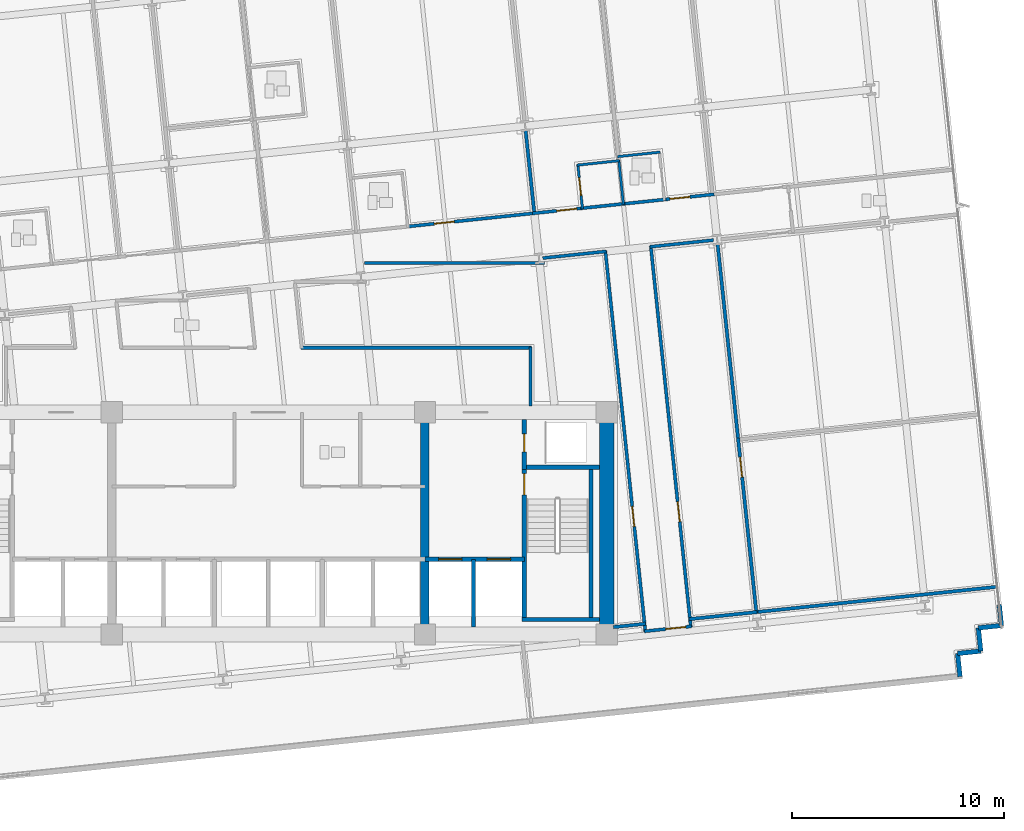
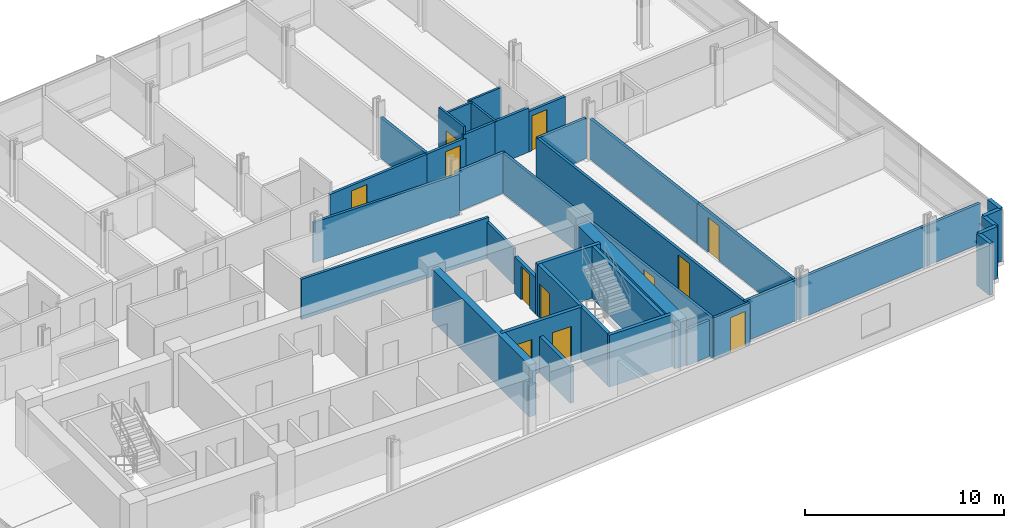
# One storey, part 12 of 19: 37 walls, 12 doors, 12 openings.
"""IFC4 building model written with IfcOpenShell, lengths in metres."""

from ifc_helpers import new_model, si_unit, direction, frame, frame_2d, origin, place, context, subcontext, project, spatial, rectangle, extrude, material, layer, layer_set, type_object, element, fill, save


model = new_model("IFC4")

# Units and contexts
model_context = context("Model", 3, precision=1e-05, world=origin(), true_north=direction((0.0, 1.0)))
body_context = subcontext(model_context, "Body", "Model", "MODEL_VIEW")
ifc_project = project(units=[si_unit("LENGTHUNIT", "METRE"), si_unit("AREAUNIT", "SQUARE_METRE"), si_unit("VOLUMEUNIT", "CUBIC_METRE"), si_unit("PLANEANGLEUNIT", "RADIAN"), si_unit("MASSUNIT", "GRAM", prefix="KILO")], contexts=[model_context])

# Site, building, storey
site_placement = place(None, origin())
site = spatial("IfcSite", under=ifc_project, at=site_placement, CompositionType="ELEMENT")
building_placement = place(site_placement, origin())
building = spatial("IfcBuilding", under=site, at=building_placement, Name="Solmavex Isthmus Hotel", CompositionType="ELEMENT")
storey_placement = place(building_placement, frame((0.0, 0.0, 83.550048828125)))
storey = spatial("IfcBuildingStorey", under=building, at=storey_placement, Name="L22", CompositionType="ELEMENT", Elevation=83.550048828125)

# Walls
ifc_material_1 = material(Name="Precast Concrete C40/50", Category="concrete")
ifc_layer_1 = layer(ifc_material_1, 0.25)
ifc_layer_set_1 = layer_set([ifc_layer_1], Name="Precast Concrete C40/50")
wall_type_1 = type_object("IfcWallType", Name="EW-TWR-250", PredefinedType="STANDARD", material=ifc_layer_set_1)
wall_1_placement = place(storey_placement, frame((34.553955078125, -11.59228515625, 0.0), z_axis=(0.0, 0.0, 1.0), x_axis=(0.104556418955, -0.99451895671, 0.0)))
element("IfcWall", 1, at=wall_1_placement, inside=storey, type_object=wall_type_1, Name="Serrated Corner Facade Panel L22-21", PredefinedType="STANDARD", context=body_context, shape_type="SweptSolid", body=[
    extrude(rectangle(XDim=0.989990234375, YDim=0.219970703125, at=frame_2d((0.4951171875, 0.0))), origin(), (0.0, 0.0, 1.0), 3.18994140625),
])
for number, where, z_axis, x_axis, name in (
    (2, (34.657470703125, -12.576904296875, 0.0), (0.0, 0.0, 1.0), (-0.994521251134, -0.104534592565, 0.0), "Serrated Corner Facade Panel L22-22"),
    (3, (33.5634765625, -12.69189453125, 0.0), (0.0, 0.0, 1.0), (0.104534592565, -0.994521251134, 0.0), "Serrated Corner Facade Panel L22-23"),
    (4, (33.678466796875, -13.785888671875, 0.0), (0.0, 0.0, 1.0), (-0.994521251134, -0.104534592565, 0.0), "Serrated Corner Facade Panel L22-24"),
    (5, (32.58447265625, -13.90087890625, 0.0), (0.0, 0.0, 1.0), (0.104534592565, -0.994521251134, 0.0), "Serrated Corner Facade Panel L22-25"),
):
    element("IfcWall", number, at=place(storey_placement, frame(where, z_axis=z_axis, x_axis=x_axis)), inside=storey, type_object=wall_type_1, Name=name, PredefinedType="STANDARD", context=body_context, shape_type="SweptSolid", body=[
        extrude(rectangle(XDim=1.10009765625, YDim=0.219970703125, at=frame_2d((0.550048828125, 0.0))), origin(), (0.0, 0.0, 1.0), 3.18994140625),
    ])
ifc_material_2 = material(Name="Gypsum plasterboard lining", Category="gypsum")
ifc_layer_2 = layer(ifc_material_2, 0.159912109375)
ifc_layer_set_2 = layer_set([ifc_layer_2], Name="Gypsum plasterboard lining")
wall_type_2 = type_object("IfcWallType", Name="IW-COMP-160", PredefinedType="PARTITIONING", material=ifc_layer_set_2)
wall_2_placement = place(storey_placement, frame((12.16015625, 10.86181640625, 0.0), z_axis=(0.0, 0.0, 1.0), x_axis=(0.104545405177, -0.994520114556, 0.0)))
element("IfcWall", 6, at=wall_2_placement, inside=storey, type_object=wall_type_2, Name="Interior Partition Wall W-L22-P073", PredefinedType="PARTITIONING", context=body_context, shape_type="SweptSolid", body=[
    extrude(rectangle(XDim=4.011962890625, YDim=0.159912109375, at=frame_2d((2.005859375, 0.0))), origin(), (0.0, 0.0, 1.0), 2.4794921875),
])
wall_3_placement = place(storey_placement, frame((23.109619140625, -11.9404296875, 0.0), z_axis=(0.0, 0.0, 1.0), x_axis=(-0.994523644075, -0.1045118241, 0.0)))
element("IfcWall", 7, at=wall_3_placement, inside=storey, type_object=wall_type_2, Name="Interior Partition Wall W-L22-P088", PredefinedType="PARTITIONING", context=body_context, shape_type="SweptSolid", body=[
    extrude(rectangle(XDim=3.233154296875, YDim=0.159912109375, at=frame_2d((1.61669921875, 0.0))), origin(), (0.0, 0.0, 1.0), 2.4794921875),
])

# Wall, opening, door
wall_4_placement = place(storey_placement, frame((22.2041015625, -3.7080078125, 0.0), z_axis=(0.0, 0.0, 1.0), x_axis=(0.104527489028, -0.994521997765, 0.0)))
wall_4 = element("IfcWall", 8, at=wall_4_placement, inside=storey, type_object=wall_type_2, Name="Interior Partition Wall W-L22-P089", PredefinedType="PARTITIONING", context=body_context, shape_type="SweptSolid", body=[
    extrude(rectangle(XDim=8.322021484375, YDim=0.159912109375, at=frame_2d((4.1611328125, 0.0))), origin(), (0.0, 0.0, 1.0), 2.4794921875),
])
opening_1_placement = place(wall_4_placement, frame((0.916748046875, 0.0, 0.0)))
opening_1 = element("IfcOpeningElement", 9, at=opening_1_placement, cuts=wall_4, Name="Opening ID-C095", PredefinedType="OPENING", context=body_context, shape_type="SweptSolid", body=[
    extrude(rectangle(XDim=0.949951171875, YDim=2.14990234375, at=frame_2d((0.47509765625, 1.074951171875))), frame((0.0, 0.08984375, 0.0), z_axis=(0.0, -1.0, 0.0), x_axis=(1.0, 0.0, 0.0)), (0.0, 0.0, 1.0), 0.179931640625),
])
ifc_material_3 = material(Name="Hardwood timber", Category="wood")
door_type_1 = type_object("IfcDoorType", Name="IDR-FD60-0950", OperationType="NOTDEFINED", PredefinedType="DOOR", material=ifc_material_3)
door_1_placement = place(opening_1_placement, origin())
door_1 = element("IfcDoor", 10, at=door_1_placement, inside=storey, type_object=door_type_1, Name="Corporate Briefing Office Door L22-26", OperationType="SINGLE_SWING_RIGHT", OverallHeight=2.14990234375, OverallWidth=0.949951171875, PredefinedType="DOOR", context=body_context, shape_type="SweptSolid", body=[
    extrude(rectangle(XDim=0.949951171875, YDim=2.14990234375, at=frame_2d((0.47509765625, 1.074951171875))), frame((0.0, 0.02490234375, 0.0), z_axis=(0.0, -1.0, 0.0), x_axis=(1.0, 0.0, 0.0)), (0.0, 0.0, 1.0), 0.050048828125),
])
fill(opening_1, door_1)

# Walls
wall_5_placement = place(storey_placement, frame((21.238037109375, 5.483154296875, 0.0), z_axis=(0.0, 0.0, 1.0), x_axis=(0.104552370405, -0.994519382336, 0.0)))
element("IfcWall", 11, at=wall_5_placement, inside=storey, type_object=wall_type_2, Name="Interior Partition Wall W-L22-P090", PredefinedType="PARTITIONING", context=body_context, shape_type="SweptSolid", body=[
    extrude(rectangle(XDim=9.40576171875, YDim=0.159912109375, at=frame_2d((4.702880859375, 0.0))), origin(), (0.0, 0.0, 1.0), 2.4794921875),
])
wall_6_placement = place(storey_placement, frame((17.82568359375, -12.495849609375, 0.0), z_axis=(0.0, 0.0, 1.0), x_axis=(-0.994528256122, -0.104467927017, 0.0)))
element("IfcWall", 12, at=wall_6_placement, inside=storey, type_object=wall_type_2, Name="Interior Partition Wall W-L22-P091", PredefinedType="PARTITIONING", context=body_context, shape_type="SweptSolid", body=[
    extrude(rectangle(XDim=1.523681640625, YDim=0.159912109375, at=frame_2d((0.76171875, 0.0))), origin(), (0.0, 0.0, 1.0), 2.224853515625),
])
wall_7_placement = place(storey_placement, frame((22.98828125, -11.953125, 0.0), z_axis=(0.0, 0.0, 1.0), x_axis=(0.994523359964, 0.104514527634, 0.0)))
element("IfcWall", 13, at=wall_7_placement, inside=storey, type_object=wall_type_2, Name="Interior Partition Wall W-L22-P092", PredefinedType="PARTITIONING", context=body_context, shape_type="SweptSolid", body=[
    extrude(rectangle(XDim=11.570068359375, YDim=0.159912109375, at=frame_2d((5.78515625, 0.0))), origin(), (0.0, 0.0, 1.0), 2.4794921875),
])

# Wall, opening, door
ifc_layer_3 = layer(ifc_material_2, 0.14990234375)
ifc_layer_set_3 = layer_set([ifc_layer_3], Name="Gypsum plasterboard lining")
wall_type_3 = type_object("IfcWallType", Name="IW-CORR-150", PredefinedType="PARTITIONING", material=ifc_layer_set_3)
wall_8_placement = place(storey_placement, frame((6.5107421875, 6.274169921875, 0.0), z_axis=(0.0, 0.0, 1.0), x_axis=(0.994521891766, 0.104528497542, 0.0)))
wall_8 = element("IfcWall", 14, at=wall_8_placement, inside=storey, type_object=wall_type_3, Name="Interior Partition Wall W-L22-P007", PredefinedType="PARTITIONING", context=body_context, shape_type="SweptSolid", body=[
    extrude(rectangle(XDim=6.18017578125, YDim=0.14990234375, at=frame_2d((3.090087890625, 0.0))), origin(), (0.0, 0.0, 1.0), 2.4794921875),
])
opening_2_placement = place(wall_8_placement, frame((1.333984375, 0.0, 0.0)))
opening_2 = element("IfcOpeningElement", 15, at=opening_2_placement, cuts=wall_8, Name="Opening ID-C095", PredefinedType="OPENING", context=body_context, shape_type="SweptSolid", body=[
    extrude(rectangle(XDim=0.949951171875, YDim=2.14990234375, at=frame_2d((0.47509765625, 1.074951171875))), frame((0.0, 0.0849609375, 0.0), z_axis=(0.0, -1.0, 0.0), x_axis=(1.0, 0.0, 0.0)), (0.0, 0.0, 1.0), 0.169921875),
])
door_2_placement = place(opening_2_placement, origin())
door_2 = element("IfcDoor", 16, at=door_2_placement, inside=storey, type_object=door_type_1, Name="Premier Suite Door L22-12", OperationType="SINGLE_SWING_RIGHT", OverallHeight=2.14990234375, OverallWidth=0.949951171875, PredefinedType="DOOR", context=body_context, shape_type="SweptSolid", body=[
    extrude(rectangle(XDim=0.949951171875, YDim=2.14990234375, at=frame_2d((0.47509765625, 1.074951171875))), frame((0.0, 0.02490234375, 0.0), z_axis=(0.0, -1.0, 0.0), x_axis=(1.0, 0.0, 0.0)), (0.0, 0.0, 1.0), 0.050048828125),
])
fill(opening_2, door_2)

wall_9_placement = place(storey_placement, frame((12.493896484375, 6.903076171875, 0.0), z_axis=(0.0, 0.0, 1.0), x_axis=(0.99452018747, 0.10454471156, 0.0)))
wall_9 = element("IfcWall", 17, at=wall_9_placement, inside=storey, type_object=wall_type_3, Name="Interior Partition Wall W-L22-P009", PredefinedType="PARTITIONING", context=body_context, shape_type="SweptSolid", body=[
    extrude(rectangle(XDim=2.44970703125, YDim=0.14990234375, at=frame_2d((1.224853515625, 0.0))), origin(), (0.0, 0.0, 1.0), 2.4794921875),
])
opening_3_placement = place(wall_9_placement, frame((1.14794921875, 0.0, 0.0)))
opening_3 = element("IfcOpeningElement", 18, at=opening_3_placement, cuts=wall_9, Name="Opening ID-C095", PredefinedType="OPENING", context=body_context, shape_type="SweptSolid", body=[
    extrude(rectangle(XDim=0.949951171875, YDim=2.14990234375, at=frame_2d((0.47509765625, 1.074951171875))), frame((0.0, 0.0849609375, 0.0), z_axis=(0.0, -1.0, 0.0), x_axis=(1.0, 0.0, 0.0)), (0.0, 0.0, 1.0), 0.169921875),
])
door_3_placement = place(opening_3_placement, origin())
door_3 = element("IfcDoor", 19, at=door_3_placement, inside=storey, type_object=door_type_1, Name="Club Guest Room Door L22-14", OperationType="SINGLE_SWING_RIGHT", OverallHeight=2.14990234375, OverallWidth=0.949951171875, PredefinedType="DOOR", context=body_context, shape_type="SweptSolid", body=[
    extrude(rectangle(XDim=0.949951171875, YDim=2.14990234375, at=frame_2d((0.47509765625, 1.074951171875))), frame((0.0, 0.02490234375, 0.0), z_axis=(0.0, -1.0, 0.0), x_axis=(1.0, 0.0, 0.0)), (0.0, 0.0, 1.0), 0.050048828125),
])
fill(opening_3, door_3)

# Wall
wall_10_placement = place(storey_placement, frame((14.76708984375, 7.14208984375, 0.0), z_axis=(0.0, 0.0, 1.0), x_axis=(0.994520650134, 0.1045403102, 0.0)))
element("IfcWall", 20, at=wall_10_placement, inside=storey, type_object=wall_type_3, Name="Interior Partition Wall W-L22-P010", PredefinedType="PARTITIONING", context=body_context, shape_type="SweptSolid", body=[
    extrude(rectangle(XDim=2.111083984375, YDim=0.14990234375, at=frame_2d((1.0556640625, 0.0))), origin(), (0.0, 0.0, 1.0), 2.718017578125),
])

# Wall, opening, door
wall_11_placement = place(storey_placement, frame((18.64013671875, 7.549072265625, 0.0), z_axis=(0.0, 0.0, 1.0), x_axis=(0.994521276566, 0.104534350613, 0.0)))
wall_11 = element("IfcWall", 21, at=wall_11_placement, inside=storey, type_object=wall_type_3, Name="Interior Partition Wall W-L22-P011", PredefinedType="PARTITIONING", context=body_context, shape_type="SweptSolid", body=[
    extrude(rectangle(XDim=2.449951171875, YDim=0.14990234375, at=frame_2d((1.22509765625, 0.0))), origin(), (0.0, 0.0, 1.0), 2.4794921875),
])
opening_4_placement = place(wall_11_placement, frame((0.351806640625, 0.0, 0.0)))
opening_4 = element("IfcOpeningElement", 22, at=opening_4_placement, cuts=wall_11, Name="Opening ID-C095", PredefinedType="OPENING", context=body_context, shape_type="SweptSolid", body=[
    extrude(rectangle(XDim=0.949951171875, YDim=2.14990234375, at=frame_2d((0.47509765625, 1.074951171875))), frame((0.0, 0.0849609375, 0.0), z_axis=(0.0, -1.0, 0.0), x_axis=(1.0, 0.0, 0.0)), (0.0, 0.0, 1.0), 0.169921875),
])
door_4_placement = place(opening_4_placement, origin())
door_4 = element("IfcDoor", 23, at=door_4_placement, inside=storey, type_object=door_type_1, Name="Superior King Room Door L22-16", OperationType="SINGLE_SWING_RIGHT", OverallHeight=2.14990234375, OverallWidth=0.949951171875, PredefinedType="DOOR", context=body_context, shape_type="SweptSolid", body=[
    extrude(rectangle(XDim=0.949951171875, YDim=2.14990234375, at=frame_2d((0.47509765625, 1.074951171875))), frame((0.0, 0.02490234375, 0.0), z_axis=(0.0, -1.0, 0.0), x_axis=(1.0, 0.0, 0.0)), (0.0, 0.0, 1.0), 0.050048828125),
])
fill(opening_4, door_4)

# Walls
wall_12_placement = place(storey_placement, frame((16.70361328125, 7.345458984375, 0.0), z_axis=(0.0, 0.0, 1.0), x_axis=(0.994520650134, 0.1045403102, 0.0)))
element("IfcWall", 24, at=wall_12_placement, inside=storey, type_object=wall_type_3, Name="Interior Partition Wall W-L22-P012", PredefinedType="PARTITIONING", context=body_context, shape_type="SweptSolid", body=[
    extrude(rectangle(XDim=2.111083984375, YDim=0.14990234375, at=frame_2d((1.0556640625, 0.0))), origin(), (0.0, 0.0, 1.0), 2.718017578125),
])
wall_13_placement = place(storey_placement, frame((21.04443359375, 5.639892578125, 0.0), z_axis=(0.0, 0.0, 1.0), x_axis=(-0.994527160177, -0.104478359817, 0.0)))
element("IfcWall", 25, at=wall_13_placement, inside=storey, type_object=wall_type_3, Name="Interior Partition Wall W-L22-P021", PredefinedType="PARTITIONING", context=body_context, shape_type="SweptSolid", body=[
    extrude(rectangle(XDim=3.016845703125, YDim=0.14990234375, at=frame_2d((1.50830078125, 0.0))), origin(), (0.0, 0.0, 1.0), 2.4794921875),
])

# Wall, opening, door
wall_14_placement = place(storey_placement, frame((18.079833984375, 5.36865234375, 0.0), z_axis=(0.0, 0.0, 1.0), x_axis=(0.104523559353, -0.994522410778, 0.0)))
wall_14 = element("IfcWall", 26, at=wall_14_placement, inside=storey, type_object=wall_type_3, Name="Interior Partition Wall W-L22-P022", PredefinedType="PARTITIONING", context=body_context, shape_type="SweptSolid", body=[
    extrude(rectangle(XDim=18.130126953125, YDim=0.14990234375, at=frame_2d((9.06494140625, 0.0))), origin(), (0.0, 0.0, 1.0), 2.4794921875),
])
opening_5_placement = place(wall_14_placement, frame((12.161865234375, 0.0, 0.0)))
opening_5 = element("IfcOpeningElement", 27, at=opening_5_placement, cuts=wall_14, Name="Opening ID-C095", PredefinedType="OPENING", context=body_context, shape_type="SweptSolid", body=[
    extrude(rectangle(XDim=0.949951171875, YDim=2.14990234375, at=frame_2d((0.47509765625, 1.074951171875))), frame((0.0, 0.0849609375, 0.0), z_axis=(0.0, -1.0, 0.0), x_axis=(1.0, 0.0, 0.0)), (0.0, 0.0, 1.0), 0.169921875),
])
door_5_placement = place(opening_5_placement, origin())
door_5 = element("IfcDoor", 28, at=door_5_placement, inside=storey, type_object=door_type_1, Name="Reading Library Door L22-22", OperationType="SINGLE_SWING_RIGHT", OverallHeight=2.14990234375, OverallWidth=0.949951171875, PredefinedType="DOOR", context=body_context, shape_type="SweptSolid", body=[
    extrude(rectangle(XDim=0.949951171875, YDim=2.14990234375, at=frame_2d((0.47509765625, 1.074951171875))), frame((0.0, 0.02490234375, 0.0), z_axis=(0.0, -1.0, 0.0), x_axis=(1.0, 0.0, 0.0)), (0.0, 0.0, 1.0), 0.050048828125),
])
fill(opening_5, door_5)

wall_15_placement = place(storey_placement, frame((17.82666015625, -12.887939453125, 0.0), z_axis=(0.0, 0.0, 1.0), x_axis=(-0.104523559353, 0.994522410778, 0.0)))
wall_15 = element("IfcWall", 29, at=wall_15_placement, inside=storey, type_object=wall_type_3, Name="Interior Partition Wall W-L22-P023", PredefinedType="PARTITIONING", context=body_context, shape_type="SweptSolid", body=[
    extrude(rectangle(XDim=18.130126953125, YDim=0.14990234375, at=frame_2d((9.06494140625, 0.0))), origin(), (0.0, 0.0, 1.0), 2.4794921875),
])
opening_6_placement = place(wall_15_placement, frame((5.018310546875, 0.0, 0.0)))
opening_6 = element("IfcOpeningElement", 30, at=opening_6_placement, cuts=wall_15, Name="Opening ID-C095", PredefinedType="OPENING", context=body_context, shape_type="SweptSolid", body=[
    extrude(rectangle(XDim=0.949951171875, YDim=2.14990234375, at=frame_2d((0.47509765625, 1.074951171875))), frame((0.0, 0.0849609375, 0.0), z_axis=(0.0, -1.0, 0.0), x_axis=(1.0, 0.0, 0.0)), (0.0, 0.0, 1.0), 0.169921875),
])
door_6_placement = place(opening_6_placement, frame((0.949951171875, 0.0, 0.0), z_axis=(0.0, 0.0, 1.0), x_axis=(-1.0, 0.0, 0.0)))
door_6 = element("IfcDoor", 31, at=door_6_placement, inside=storey, type_object=door_type_1, Name="Wellness Treatment Room Door L22-23", OperationType="SINGLE_SWING_LEFT", OverallHeight=2.14990234375, OverallWidth=0.949951171875, PredefinedType="DOOR", context=body_context, shape_type="SweptSolid", body=[
    extrude(rectangle(XDim=0.949951171875, YDim=2.14990234375, at=frame_2d((0.47509765625, 1.074951171875))), frame((0.0, 0.02490234375, 0.0), z_axis=(0.0, -1.0, 0.0), x_axis=(1.0, 0.0, 0.0)), (0.0, 0.0, 1.0), 0.050048828125),
])
fill(opening_6, door_6)

# Walls
wall_16_placement = place(storey_placement, frame((15.9755859375, 5.107177734375, 0.0), z_axis=(0.0, 0.0, 1.0), x_axis=(-0.994518748051, -0.104558403652, 0.0)))
element("IfcWall", 32, at=wall_16_placement, inside=storey, type_object=wall_type_3, Name="Interior Partition Wall W-L22-P024", PredefinedType="PARTITIONING", context=body_context, shape_type="SweptSolid", body=[
    extrude(rectangle(XDim=3.016845703125, YDim=0.14990234375, at=frame_2d((1.50830078125, 0.0))), origin(), (0.0, 0.0, 1.0), 2.4794921875),
])
wall_17_placement = place(storey_placement, frame((13.05517578125, 4.558349609375, 0.0), z_axis=(0.0, 0.0, 1.0), x_axis=(-1.0, 0.0, 0.0)))
element("IfcWall", 33, at=wall_17_placement, inside=storey, type_object=wall_type_3, Name="Interior Partition Wall W-L22-P025", PredefinedType="PARTITIONING", context=body_context, shape_type="SweptSolid", body=[
    extrude(rectangle(XDim=8.49951171875, YDim=0.14990234375, at=frame_2d((4.249755859375, 0.0))), origin(), (0.0, 0.0, 1.0), 2.4794921875),
])
wall_18_placement = place(storey_placement, frame((1.541015625, 0.550048828125, 0.0), z_axis=(0.0, 0.0, 1.0), x_axis=(1.0, 0.0, 0.0)))
element("IfcWall", 34, at=wall_18_placement, inside=storey, type_object=wall_type_3, Name="Interior Partition Wall W-L22-P028", PredefinedType="PARTITIONING", context=body_context, shape_type="SweptSolid", body=[
    extrude(rectangle(XDim=10.89892578125, YDim=0.14990234375, at=frame_2d((5.449462890625, 0.0))), origin(), (0.0, 0.0, 1.0), 2.4794921875),
])
wall_19_placement = place(storey_placement, frame((12.39990234375, 0.590087890625, 0.0), z_axis=(0.0, 0.0, 1.0), x_axis=(0.0, -1.0, 0.0)))
element("IfcWall", 35, at=wall_19_placement, inside=storey, type_object=wall_type_3, Name="Interior Partition Wall W-L22-P029", PredefinedType="PARTITIONING", context=body_context, shape_type="SweptSolid", body=[
    extrude(rectangle(XDim=2.780029296875, YDim=0.14990234375, at=frame_2d((1.39013671875, 0.0))), origin(), (0.0, 0.0, 1.0), 2.224853515625),
])

# Wall, opening, door
wall_20_placement = place(storey_placement, frame((20.010498046875, -12.6181640625, 0.0), z_axis=(0.0, 0.0, 1.0), x_axis=(-0.994522758079, -0.104520254794, 0.0)))
wall_20 = element("IfcWall", 36, at=wall_20_placement, inside=storey, type_object=wall_type_3, Name="Interior Partition Wall W-L22-P030", PredefinedType="PARTITIONING", context=body_context, shape_type="SweptSolid", body=[
    extrude(rectangle(XDim=2.239990234375, YDim=0.14990234375, at=frame_2d((1.1201171875, 0.0))), origin(), (0.0, 0.0, 1.0), 2.55322265625),
])
opening_7_placement = place(wall_20_placement, frame((0.281982421875, 0.0, 0.0)))
opening_7 = element("IfcOpeningElement", 37, at=opening_7_placement, cuts=wall_20, Name="Opening ID-C095", PredefinedType="OPENING", context=body_context, shape_type="SweptSolid", body=[
    extrude(rectangle(XDim=0.949951171875, YDim=2.14990234375, at=frame_2d((0.47509765625, 1.074951171875))), frame((0.0, 0.0849609375, 0.0), z_axis=(0.0, -1.0, 0.0), x_axis=(1.0, 0.0, 0.0)), (0.0, 0.0, 1.0), 0.169921875),
])
door_7_placement = place(opening_7_placement, origin())
door_7 = element("IfcDoor", 38, at=door_7_placement, inside=storey, type_object=door_type_1, Name="Executive Hospitality Lounge Door L22-24", OperationType="SINGLE_SWING_RIGHT", OverallHeight=2.14990234375, OverallWidth=0.949951171875, PredefinedType="DOOR", context=body_context, shape_type="SweptSolid", body=[
    extrude(rectangle(XDim=0.949951171875, YDim=2.14990234375, at=frame_2d((0.47509765625, 1.074951171875))), frame((0.0, 0.02490234375, 0.0), z_axis=(0.0, -1.0, 0.0), x_axis=(1.0, 0.0, 0.0)), (0.0, 0.0, 1.0), 0.050048828125),
])
fill(opening_7, door_7)

# Wall
ifc_layer_4 = layer(ifc_material_2, 0.1201171875)
ifc_layer_set_4 = layer_set([ifc_layer_4], Name="Gypsum plasterboard lining")
wall_type_4 = type_object("IfcWallType", Name="IW-PART-120", PredefinedType="PARTITIONING", material=ifc_layer_set_4)
wall_21_placement = place(storey_placement, frame((16.610595703125, 9.39697265625, 0.0), z_axis=(0.0, 0.0, 1.0), x_axis=(-0.994519962835, -0.104546848461, 0.0)))
element("IfcWall", 39, at=wall_21_placement, inside=storey, type_object=wall_type_4, Name="Interior Partition Wall W-L22-P074", PredefinedType="PARTITIONING", context=body_context, shape_type="SweptSolid", body=[
    extrude(rectangle(XDim=2.02685546875, YDim=0.1201171875, at=frame_2d((1.013427734375, 0.0))), origin(), (0.0, 0.0, 1.0), 2.718017578125),
])

# Wall, opening, door
wall_22_placement = place(storey_placement, frame((14.630126953125, 9.229248046875, 0.0), z_axis=(0.0, 0.0, 1.0), x_axis=(0.104529659321, -0.994521769657, 0.0)))
wall_22 = element("IfcWall", 40, at=wall_22_placement, inside=storey, type_object=wall_type_4, Name="Interior Partition Wall W-L22-P075", PredefinedType="PARTITIONING", context=body_context, shape_type="SweptSolid", body=[
    extrude(rectangle(XDim=2.130126953125, YDim=0.1201171875, at=frame_2d((1.06494140625, 0.0))), origin(), (0.0, 0.0, 1.0), 3.18994140625),
])
opening_8_placement = place(wall_22_placement, frame((0.639892578125, 0.0, 0.0)))
opening_8 = element("IfcOpeningElement", 41, at=opening_8_placement, cuts=wall_22, Name="Opening ID-U085", PredefinedType="OPENING", context=body_context, shape_type="SweptSolid", body=[
    extrude(rectangle(XDim=0.85009765625, YDim=2.10009765625, at=frame_2d((0.425048828125, 1.050048828125))), frame((0.0, 0.070068359375, 0.0), z_axis=(0.0, -1.0, 0.0), x_axis=(1.0, 0.0, 0.0)), (0.0, 0.0, 1.0), 0.14013671875),
])
door_type_2 = type_object("IfcDoorType", Name="IDR-UNR-0850", OperationType="NOTDEFINED", PredefinedType="DOOR", material=ifc_material_3)
door_8_placement = place(opening_8_placement, origin())
door_8 = element("IfcDoor", 42, at=door_8_placement, inside=storey, type_object=door_type_2, Name="En-suite Bathroom Door L22-15", OperationType="SINGLE_SWING_LEFT", OverallHeight=2.10009765625, OverallWidth=0.85009765625, PredefinedType="DOOR", context=body_context, shape_type="SweptSolid", body=[
    extrude(rectangle(XDim=0.85009765625, YDim=2.10009765625, at=frame_2d((0.425048828125, 1.050048828125))), frame((0.0, 0.02490234375, 0.0), z_axis=(0.0, -1.0, 0.0), x_axis=(1.0, 0.0, 0.0)), (0.0, 0.0, 1.0), 0.050048828125),
])
fill(opening_8, door_8)

# Walls
wall_23_placement = place(storey_placement, frame((16.566650390625, 9.4326171875, 0.0), z_axis=(0.0, 0.0, 1.0), x_axis=(0.104541575795, -0.994520517099, 0.0)))
element("IfcWall", 43, at=wall_23_placement, inside=storey, type_object=wall_type_4, Name="Interior Partition Wall W-L22-P077", PredefinedType="PARTITIONING", context=body_context, shape_type="SweptSolid", body=[
    extrude(rectangle(XDim=2.1298828125, YDim=0.1201171875, at=frame_2d((1.06494140625, 0.0))), origin(), (0.0, 0.0, 1.0), 2.718017578125),
])
wall_24_placement = place(storey_placement, frame((18.5263671875, 9.799560546875, 0.0), z_axis=(0.0, 0.0, 1.0), x_axis=(-0.994521279075, -0.104534326742, 0.0)))
element("IfcWall", 44, at=wall_24_placement, inside=storey, type_object=wall_type_4, Name="Interior Partition Wall W-L22-P079", PredefinedType="PARTITIONING", context=body_context, shape_type="SweptSolid", body=[
    extrude(rectangle(XDim=2.027099609375, YDim=0.1201171875, at=frame_2d((1.013671875, 0.0))), origin(), (0.0, 0.0, 1.0), 2.718017578125),
])

# Wall, opening, door
ifc_material_4 = material(Name="Concrete C40/50", Category="concrete")
ifc_layer_5 = layer(ifc_material_4, 0.199951171875)
ifc_layer_set_5 = layer_set([ifc_layer_5], Name="Concrete C40/50")
wall_type_5 = type_object("IfcWallType", Name="IW-SHAFT-200", PredefinedType="PARTITIONING", material=ifc_layer_set_5)
wall_25_placement = place(storey_placement, frame((12.10009765625, -5.199951171875, 0.0), z_axis=(0.0, 0.0, 1.0), x_axis=(0.0, 1.0, 0.0)))
wall_25 = element("IfcWall", 45, at=wall_25_placement, inside=storey, type_object=wall_type_5, Name="Interior Partition Wall W-L22-RSE-W", PredefinedType="PARTITIONING", context=body_context, shape_type="SweptSolid", body=[
    extrude(rectangle(XDim=2.349853515625, YDim=0.199951171875, at=frame_2d((1.1748046875, 0.0))), origin(), (0.0, 0.0, 1.0), 2.224853515625),
])
opening_9_placement = place(wall_25_placement, frame((0.824951171875, 0.0, 0.0)))
opening_9 = element("IfcOpeningElement", 46, at=opening_9_placement, cuts=wall_25, Name="Opening ID-R085", PredefinedType="OPENING", context=body_context, shape_type="SweptSolid", body=[
    extrude(rectangle(XDim=0.85009765625, YDim=2.050048828125, at=frame_2d((0.425048828125, 1.02490234375))), frame((0.0, 0.10986328125, 0.0), z_axis=(0.0, -1.0, 0.0), x_axis=(1.0, 0.0, 0.0)), (0.0, 0.0, 1.0), 0.219970703125),
])
ifc_material_5 = material(Name="Steel ASTM A500 Grade C", Category="steel")
door_type_3 = type_object("IfcDoorType", Name="IDR-FD60-0850", OperationType="NOTDEFINED", PredefinedType="DOOR", material=ifc_material_5)
door_9_placement = place(opening_9_placement, frame((0.85009765625, 0.0, 0.0), z_axis=(0.0, 0.0, 1.0), x_axis=(-1.0, 0.0, 0.0)))
door_9 = element("IfcDoor", 47, at=door_9_placement, inside=storey, type_object=door_type_3, Name="Mechanical Riser Door L22", OperationType="SINGLE_SWING_LEFT", OverallHeight=2.050048828125, OverallWidth=0.85009765625, PredefinedType="DOOR", context=body_context, shape_type="SweptSolid", body=[
    extrude(rectangle(XDim=0.85009765625, YDim=2.050048828125, at=frame_2d((0.425048828125, 1.02490234375))), frame((0.0, 0.02490234375, 0.0), z_axis=(0.0, -1.0, 0.0), x_axis=(1.0, 0.0, 0.0)), (0.0, 0.0, 1.0), 0.050048828125),
])
fill(opening_9, door_9)

# Wall, openings, doors
wall_26_placement = place(storey_placement, frame((7.39990234375, -9.449951171875, 0.0), z_axis=(0.0, 0.0, 1.0), x_axis=(1.0, 0.0, 0.0)))
wall_26 = element("IfcWall", 48, at=wall_26_placement, inside=storey, type_object=wall_type_5, Name="Interior Partition Wall W-L22-FFLE-S", PredefinedType="PARTITIONING", context=body_context, shape_type="SweptSolid", body=[
    extrude(rectangle(XDim=4.7001953125, YDim=0.199951171875, at=frame_2d((2.35009765625, 0.0))), origin(), (0.0, 0.0, 1.0), 3.18994140625),
])
opening_10_placement = place(wall_26_placement, frame((2.949951171875, 0.0, 0.0)))
opening_10 = element("IfcOpeningElement", 49, at=opening_10_placement, cuts=wall_26, Name="Opening LD-FF", PredefinedType="OPENING", context=body_context, shape_type="SweptSolid", body=[
    extrude(rectangle(XDim=1.10009765625, YDim=2.199951171875, at=frame_2d((0.550048828125, 1.10009765625))), frame((0.0, 0.10986328125, 0.0), z_axis=(0.0, -1.0, 0.0), x_axis=(1.0, 0.0, 0.0)), (0.0, 0.0, 1.0), 0.219970703125),
])
opening_11_placement = place(wall_26_placement, frame((0.64990234375, 0.0, 0.0)))
opening_11 = element("IfcOpeningElement", 50, at=opening_11_placement, cuts=wall_26, Name="Opening LD-SV", PredefinedType="OPENING", context=body_context, shape_type="SweptSolid", body=[
    extrude(rectangle(XDim=1.10009765625, YDim=2.199951171875, at=frame_2d((0.550048828125, 1.10009765625))), frame((0.0, 0.10986328125, 0.0), z_axis=(0.0, -1.0, 0.0), x_axis=(1.0, 0.0, 0.0)), (0.0, 0.0, 1.0), 0.219970703125),
])
ifc_material_6 = material(Name="Stainless steel 316", Category="steel")
door_type_4 = type_object("IfcDoorType", Name="LDR-FF-1100", OperationType="NOTDEFINED", PredefinedType="DOOR", material=ifc_material_6)
door_10_placement = place(opening_10_placement, origin())
door_10 = element("IfcDoor", 51, at=door_10_placement, inside=storey, type_object=door_type_4, Name="Lift Landing Door FFL-2 L22", OperationType="SLIDING_TO_LEFT", OverallHeight=2.199951171875, OverallWidth=1.10009765625, PredefinedType="DOOR", context=body_context, shape_type="SweptSolid", body=[
    extrude(rectangle(XDim=1.10009765625, YDim=2.199951171875, at=frame_2d((0.550048828125, 1.10009765625))), frame((0.0, 0.02490234375, 0.0), z_axis=(0.0, -1.0, 0.0), x_axis=(1.0, 0.0, 0.0)), (0.0, 0.0, 1.0), 0.050048828125),
])
fill(opening_10, door_10)
door_type_5 = type_object("IfcDoorType", Name="LDR-SV-1100", OperationType="NOTDEFINED", PredefinedType="DOOR", material=ifc_material_6)
door_11_placement = place(opening_11_placement, origin())
door_11 = element("IfcDoor", 52, at=door_11_placement, inside=storey, type_object=door_type_5, Name="Lift Landing Door SVL-2 L22", OperationType="SLIDING_TO_RIGHT", OverallHeight=2.199951171875, OverallWidth=1.10009765625, PredefinedType="DOOR", context=body_context, shape_type="SweptSolid", body=[
    extrude(rectangle(XDim=1.10009765625, YDim=2.199951171875, at=frame_2d((0.550048828125, 1.10009765625))), frame((0.0, 0.02490234375, 0.0), z_axis=(0.0, -1.0, 0.0), x_axis=(1.0, 0.0, 0.0)), (0.0, 0.0, 1.0), 0.050048828125),
])
fill(opening_11, door_11)

# Walls
wall_27_placement = place(storey_placement, frame((9.699951171875, -12.64990234375, 0.0), z_axis=(0.0, 0.0, 1.0), x_axis=(0.0, 1.0, 0.0)))
element("IfcWall", 53, at=wall_27_placement, inside=storey, type_object=wall_type_5, Name="Interior Partition Wall W-L22-FFLE-M", PredefinedType="PARTITIONING", context=body_context, shape_type="SweptSolid", body=[
    extrude(rectangle(XDim=3.199951171875, YDim=0.199951171875, at=frame_2d((1.60009765625, 0.0))), origin(), (0.0, 0.0, 1.0), 2.224853515625),
])
ifc_material_7 = material(Name="Concrete C60/75", Category="concrete")
ifc_layer_6 = layer(ifc_material_7, 0.39990234375)
ifc_layer_set_6 = layer_set([ifc_layer_6], Name="Concrete C60/75")
wall_type_6 = type_object("IfcWallType", Name="WALL-CW-400M", PredefinedType="SHEAR", material=ifc_layer_set_6)
wall_28_placement = place(storey_placement, frame((7.39990234375, -12.64990234375, 0.0), z_axis=(0.0, 0.0, 1.0), x_axis=(0.0, 1.0, 0.0)))
element("IfcWall", 54, at=wall_28_placement, inside=storey, type_object=wall_type_6, Name="Core Cross Shear Wall C2 L22", PredefinedType="SHEAR", context=body_context, shape_type="SweptSolid", body=[
    extrude(rectangle(XDim=9.7998046875, YDim=0.39990234375, at=frame_2d((4.89990234375, 0.0))), origin(), (0.0, 0.0, 1.0), 3.18994140625),
])
ifc_layer_7 = layer(ifc_material_7, 0.699951171875)
ifc_layer_set_7 = layer_set([ifc_layer_7], Name="Concrete C60/75")
wall_type_7 = type_object("IfcWallType", Name="WALL-CW-700", PredefinedType="SHEAR", material=ifc_layer_set_7)
wall_29_placement = place(storey_placement, frame((16.0, -12.64990234375, 0.0), z_axis=(0.0, 0.0, 1.0), x_axis=(0.0, 1.0, 0.0)))
element("IfcWall", 55, at=wall_29_placement, inside=storey, type_object=wall_type_7, Name="Core Shear Wall East L22", PredefinedType="SHEAR", context=body_context, shape_type="SweptSolid", body=[
    extrude(rectangle(XDim=9.7998046875, YDim=0.699951171875, at=frame_2d((4.89990234375, 0.0))), origin(), (0.0, 0.0, 1.0), 2.909912109375),
])
ifc_layer_8 = layer(ifc_material_4, 0.199951171875)
ifc_layer_set_8 = layer_set([ifc_layer_8], Name="Concrete C40/50")
wall_type_8 = type_object("IfcWallType", Name="WALL-SW-200", PredefinedType="SOLIDWALL", material=ifc_layer_set_8)
for number, where, z_axis, x_axis, name in (
    (56, (12.0, -12.300048828125, 0.0), (0.0, 0.0, 1.0), (1.0, 0.0, 0.0), "Stairwell Structural Wall SW-L22-ST2-S"),
    (57, (12.0, -5.10009765625, 0.0), (0.0, 0.0, 1.0), (1.0, 0.0, 0.0), "Stairwell Structural Wall SW-L22-ST2-N"),
):
    element("IfcWall", number, at=place(storey_placement, frame(where, z_axis=z_axis, x_axis=x_axis)), inside=storey, type_object=wall_type_8, Name=name, PredefinedType="SOLIDWALL", context=body_context, shape_type="SweptSolid", body=[
        extrude(rectangle(XDim=3.64990234375, YDim=0.199951171875, at=frame_2d((1.824951171875, 0.0))), origin(), (0.0, 0.0, 1.0), 3.18994140625),
    ])

# Wall, opening, door
wall_30_placement = place(storey_placement, frame((12.10009765625, -12.199951171875, 0.0), z_axis=(0.0, 0.0, 1.0), x_axis=(0.0, 1.0, 0.0)))
wall_30 = element("IfcWall", 58, at=wall_30_placement, inside=storey, type_object=wall_type_8, Name="Stairwell Structural Wall SW-L22-ST2-W", PredefinedType="SOLIDWALL", context=body_context, shape_type="SweptSolid", body=[
    extrude(rectangle(XDim=7.0, YDim=0.199951171875, at=frame_2d((3.5, 0.0))), origin(), (0.0, 0.0, 1.0), 3.18994140625),
])
opening_12_placement = place(wall_30_placement, frame((5.800048828125, 0.0, 0.0)))
opening_12 = element("IfcOpeningElement", 59, at=opening_12_placement, cuts=wall_30, Name="Opening ID-F100", PredefinedType="OPENING", context=body_context, shape_type="SweptSolid", body=[
    extrude(rectangle(XDim=1.0, YDim=2.10009765625, at=frame_2d((0.5, 1.050048828125))), frame((0.0, 0.10986328125, 0.0), z_axis=(0.0, -1.0, 0.0), x_axis=(1.0, 0.0, 0.0)), (0.0, 0.0, 1.0), 0.219970703125),
])
door_type_6 = type_object("IfcDoorType", Name="IDR-FD90-1000", OperationType="NOTDEFINED", PredefinedType="DOOR", material=ifc_material_5)
door_12_placement = place(opening_12_placement, origin())
door_12 = element("IfcDoor", 60, at=door_12_placement, inside=storey, type_object=door_type_6, Name="Stair ST-2 Fire Door L22", OperationType="SINGLE_SWING_RIGHT", OverallHeight=2.10009765625, OverallWidth=1.0, PredefinedType="DOOR", context=body_context, shape_type="SweptSolid", body=[
    extrude(rectangle(XDim=1.0, YDim=2.10009765625, at=frame_2d((0.5, 1.050048828125))), frame((0.0, 0.02490234375, 0.0), z_axis=(0.0, -1.0, 0.0), x_axis=(1.0, 0.0, 0.0)), (0.0, 0.0, 1.0), 0.050048828125),
])
fill(opening_12, door_12)

# Wall
wall_31_placement = place(storey_placement, frame((15.25, -12.199951171875, 0.0), z_axis=(0.0, 0.0, 1.0), x_axis=(0.0, 1.0, 0.0)))
element("IfcWall", 61, at=wall_31_placement, inside=storey, type_object=wall_type_8, Name="Stairwell Structural Wall SW-L22-ST2-E", PredefinedType="SOLIDWALL", context=body_context, shape_type="SweptSolid", body=[
    extrude(rectangle(XDim=7.0, YDim=0.199951171875, at=frame_2d((3.5, 0.0))), origin(), (0.0, 0.0, 1.0), 3.18994140625),
])

save(model, "model.ifc")
